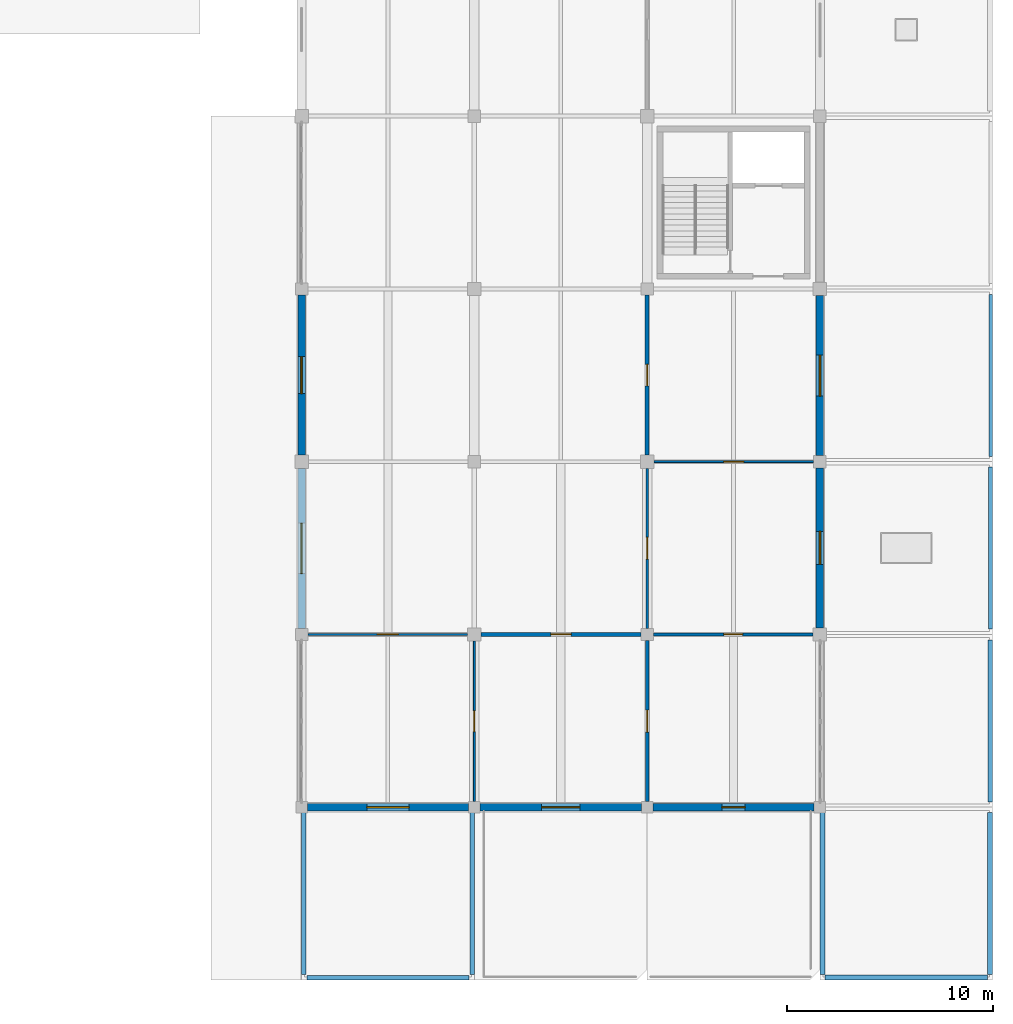
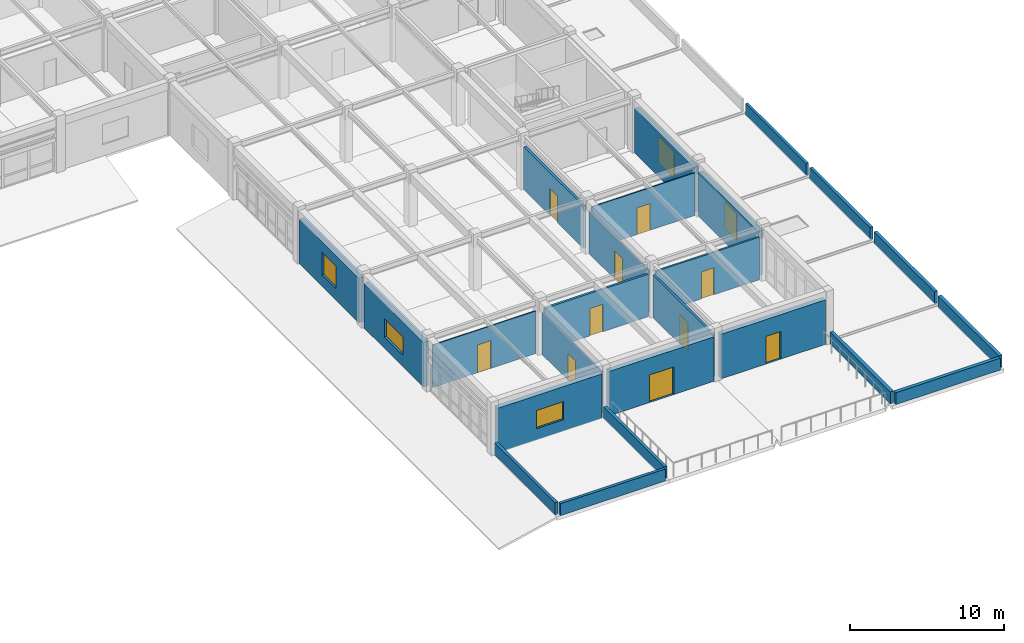
# One storey, part 70 of 78: 24 walls, 10 doors, 5 windows, 15 openings.
"""IFC4 building model written with IfcOpenShell, lengths in metres."""

from ifc_helpers import new_model, si_unit, direction, frame, frame_2d, origin, place, context, subcontext, project, spatial, rectangle, extrude, material, layer, layer_set, type_object, element, fill, save


model = new_model("IFC4")

# Units and contexts
model_context = context("Model", 3, precision=1e-05, world=origin(), true_north=direction((0.0, 1.0)))
body_context = subcontext(model_context, "Body", "Model", "MODEL_VIEW")
ifc_project = project(units=[si_unit("LENGTHUNIT", "METRE"), si_unit("AREAUNIT", "SQUARE_METRE"), si_unit("VOLUMEUNIT", "CUBIC_METRE"), si_unit("PLANEANGLEUNIT", "RADIAN"), si_unit("MASSUNIT", "GRAM", prefix="KILO")], contexts=[model_context])

# Site, building, storey
site_placement = place(None, origin())
site = spatial("IfcSite", under=ifc_project, at=site_placement, CompositionType="ELEMENT")
building_placement = place(site_placement, origin())
building = spatial("IfcBuilding", under=site, at=building_placement, Name="Porcellanite Civic Hall", CompositionType="ELEMENT")
storey_placement = place(building_placement, frame((0.0, 0.0, 10.260009765625)))
storey = spatial("IfcBuildingStorey", under=building, at=storey_placement, Name="L02", CompositionType="ELEMENT", Elevation=10.260009765625)

# Wall, opening, window
ifc_material_1 = material(Name="Precast concrete N40 (40 MPa)", Category="concrete")
ifc_layer_1 = layer(ifc_material_1, 0.360107421875)
ifc_layer_set_1 = layer_set([ifc_layer_1], Name="Precast concrete N40 (40 MPa)")
wall_type_1 = type_object("IfcWallType", Name="EW-LIB360", PredefinedType="SOLIDWALL", material=ifc_layer_set_1)
wall_1_placement = place(storey_placement, frame((150.924072265625, 8.39990234375, 0.0), z_axis=(0.0, 0.0, 1.0), x_axis=(-1.0, 0.0, 0.0)))
wall_1 = element("IfcWall", 1, at=wall_1_placement, inside=storey, type_object=wall_type_1, Name="Exterior wall L02 S 18-2", PredefinedType="SOLIDWALL", context=body_context, shape_type="SweptSolid", body=[
    extrude(rectangle(XDim=7.84814453125, YDim=0.360107421875, at=frame_2d((3.924072265625, 0.0))), origin(), (0.0, 0.0, 1.0), 3.5400390625),
])
opening_1_placement = place(wall_1_placement, frame((2.89892578125, 0.0, 0.89990234375)))
opening_1 = element("IfcOpeningElement", 2, at=opening_1_placement, cuts=wall_1, Name="Opening W39", PredefinedType="OPENING", context=body_context, shape_type="SweptSolid", body=[
    extrude(rectangle(XDim=2.050048828125, YDim=1.449951171875, at=frame_2d((1.02490234375, 0.72509765625))), frame((0.0, 0.18017578125, 0.0), z_axis=(0.0, -1.0, 0.0), x_axis=(1.0, 0.0, 0.0)), (0.0, 0.0, 1.0), 0.360107421875),
])
ifc_material_2 = material(Name="Cyclone laminated low-E glazing in anodised aluminium frame", Category="aluminium")
window_type_1 = type_object("IfcWindowType", Name="WN-39", PartitioningType="DOUBLE_PANEL_VERTICAL", PredefinedType="WINDOW", material=ifc_material_2)
window_1_placement = place(opening_1_placement, origin())
window_1 = element("IfcWindow", 3, at=window_1_placement, inside=storey, type_object=window_type_1, Name="Window W39 L02 S 18-2", OverallHeight=1.449951171875, OverallWidth=2.050048828125, PartitioningType="SINGLE_PANEL", PredefinedType="WINDOW", context=body_context, shape_type="SweptSolid", body=[
    extrude(rectangle(XDim=2.050048828125, YDim=1.449951171875, at=frame_2d((1.02490234375, 0.72509765625))), frame((0.0, 0.030029296875, 0.0), z_axis=(0.0, -1.0, 0.0), x_axis=(1.0, 0.0, 0.0)), (0.0, 0.0, 1.0), 0.06005859375),
])
fill(opening_1, window_1)

wall_2_placement = place(storey_placement, frame((142.800048828125, 17.10107421875, 0.0), z_axis=(0.0, 0.0, 1.0), x_axis=(0.0, 1.0, 0.0)))
wall_2 = element("IfcWall", 4, at=wall_2_placement, inside=storey, type_object=wall_type_1, Name="Exterior wall L02 W 18-3", PredefinedType="SOLIDWALL", context=body_context, shape_type="SweptSolid", body=[
    extrude(rectangle(XDim=7.77294921875, YDim=0.360107421875, at=frame_2d((3.886474609375, 0.0))), origin(), (0.0, 0.0, 1.0), 3.5400390625),
])
opening_2_placement = place(wall_2_placement, frame((2.660888671875, 0.0, 0.89990234375)))
opening_2 = element("IfcOpeningElement", 5, at=opening_2_placement, cuts=wall_2, Name="Opening W40", PredefinedType="OPENING", context=body_context, shape_type="SweptSolid", body=[
    extrude(rectangle(XDim=2.449951171875, YDim=1.449951171875, at=frame_2d((1.22509765625, 0.72509765625))), frame((0.0, 0.18017578125, 0.0), z_axis=(0.0, -1.0, 0.0), x_axis=(1.0, 0.0, 0.0)), (0.0, 0.0, 1.0), 0.360107421875),
])
ifc_material_3 = material(Name="Cyclone laminated low-E glazing in anodised aluminium frame", Category="aluminium")
window_type_2 = type_object("IfcWindowType", Name="WN-40", PartitioningType="DOUBLE_PANEL_VERTICAL", PredefinedType="WINDOW", material=ifc_material_3)
window_2_placement = place(opening_2_placement, origin())
window_2 = element("IfcWindow", 6, at=window_2_placement, inside=storey, type_object=window_type_2, Name="Window W40 L02 W 18-3", OverallHeight=1.449951171875, OverallWidth=2.449951171875, PartitioningType="SINGLE_PANEL", PredefinedType="WINDOW", context=body_context, shape_type="SweptSolid", body=[
    extrude(rectangle(XDim=2.449951171875, YDim=1.449951171875, at=frame_2d((1.22509765625, 0.72509765625))), frame((0.0, 0.030029296875, 0.0), z_axis=(0.0, -1.0, 0.0), x_axis=(1.0, 0.0, 0.0)), (0.0, 0.0, 1.0), 0.06005859375),
])
fill(opening_2, window_2)

wall_3_placement = place(storey_placement, frame((142.800048828125, 25.52587890625, 0.0), z_axis=(0.0, 0.0, 1.0), x_axis=(0.0, 1.0, 0.0)))
wall_3 = element("IfcWall", 7, at=wall_3_placement, inside=storey, type_object=wall_type_1, Name="Exterior wall L02 W 18-4", PredefinedType="SOLIDWALL", context=body_context, shape_type="SweptSolid", body=[
    extrude(rectangle(XDim=7.773193359375, YDim=0.360107421875, at=frame_2d((3.88671875, 0.0))), origin(), (0.0, 0.0, 1.0), 3.5400390625),
])
opening_3_placement = place(wall_3_placement, frame((2.986083984375, 0.0, 0.89990234375)))
opening_3 = element("IfcOpeningElement", 8, at=opening_3_placement, cuts=wall_3, Name="Opening W01", PredefinedType="OPENING", context=body_context, shape_type="SweptSolid", body=[
    extrude(rectangle(XDim=1.800048828125, YDim=1.800048828125, at=frame_2d((0.89990234375, 0.89990234375))), frame((0.0, 0.18017578125, 0.0), z_axis=(0.0, -1.0, 0.0), x_axis=(1.0, 0.0, 0.0)), (0.0, 0.0, 1.0), 0.360107421875),
])
ifc_material_4 = material(Name="Cyclone laminated low-E glazing in anodised aluminium frame", Category="aluminium")
window_type_3 = type_object("IfcWindowType", Name="WN-01", PartitioningType="DOUBLE_PANEL_VERTICAL", PredefinedType="WINDOW", material=ifc_material_4)
window_3_placement = place(opening_3_placement, origin())
window_3 = element("IfcWindow", 9, at=window_3_placement, inside=storey, type_object=window_type_3, Name="Window W01 L02 W 18-4", OverallHeight=1.800048828125, OverallWidth=1.800048828125, PartitioningType="SINGLE_PANEL", PredefinedType="WINDOW", context=body_context, shape_type="SweptSolid", body=[
    extrude(rectangle(XDim=1.800048828125, YDim=1.800048828125, at=frame_2d((0.89990234375, 0.89990234375))), frame((0.0, 0.030029296875, 0.0), z_axis=(0.0, -1.0, 0.0), x_axis=(1.0, 0.0, 0.0)), (0.0, 0.0, 1.0), 0.06005859375),
])
fill(opening_3, window_3)

# Wall, opening, door
wall_4_placement = place(storey_placement, frame((159.323974609375, 8.39990234375, 0.0), z_axis=(0.0, 0.0, 1.0), x_axis=(-1.0, 0.0, 0.0)))
wall_4 = element("IfcWall", 10, at=wall_4_placement, inside=storey, type_object=wall_type_1, Name="Exterior wall L02 S 19-2", PredefinedType="SOLIDWALL", context=body_context, shape_type="SweptSolid", body=[
    extrude(rectangle(XDim=7.847900390625, YDim=0.360107421875, at=frame_2d((3.923828125, 0.0))), origin(), (0.0, 0.0, 1.0), 3.5400390625),
])
opening_4_placement = place(wall_4_placement, frame((2.9990234375, 0.0, 0.0)))
opening_4 = element("IfcOpeningElement", 11, at=opening_4_placement, cuts=wall_4, Name="Opening TD-06", PredefinedType="OPENING", context=body_context, shape_type="SweptSolid", body=[
    extrude(rectangle(XDim=1.85009765625, YDim=2.199951171875, at=frame_2d((0.925048828125, 1.10009765625))), frame((0.0, 0.18017578125, 0.0), z_axis=(0.0, -1.0, 0.0), x_axis=(1.0, 0.0, 0.0)), (0.0, 0.0, 1.0), 0.360107421875),
])
ifc_material_5 = material(Name="Anodised aluminium and laminated safety glass", Category="aluminium")
door_type_1 = type_object("IfcDoorType", Name="DR-TER185", OperationType="DOUBLE_DOOR_SINGLE_SWING", PredefinedType="DOOR", material=ifc_material_5)
door_1_placement = place(opening_4_placement, origin())
door_1 = element("IfcDoor", 12, at=door_1_placement, inside=storey, type_object=door_type_1, Name="Civic terrace door TD-06", OperationType="DOUBLE_DOOR_SINGLE_SWING", OverallHeight=2.199951171875, OverallWidth=1.85009765625, PredefinedType="DOOR", context=body_context, shape_type="SweptSolid", body=[
    extrude(rectangle(XDim=1.85009765625, YDim=2.199951171875, at=frame_2d((0.925048828125, 1.10009765625))), frame((0.0, 0.02490234375, 0.0), z_axis=(0.0, -1.0, 0.0), x_axis=(1.0, 0.0, 0.0)), (0.0, 0.0, 1.0), 0.050048828125),
])
fill(opening_4, door_1)

wall_5_placement = place(storey_placement, frame((167.72412109375, 8.39990234375, 0.0), z_axis=(0.0, 0.0, 1.0), x_axis=(-1.0, 0.0, 0.0)))
wall_5 = element("IfcWall", 13, at=wall_5_placement, inside=storey, type_object=wall_type_1, Name="Exterior wall L02 S 20-2", PredefinedType="SOLIDWALL", context=body_context, shape_type="SweptSolid", body=[
    extrude(rectangle(XDim=7.84814453125, YDim=0.360107421875, at=frame_2d((3.924072265625, 0.0))), origin(), (0.0, 0.0, 1.0), 3.5400390625),
])
opening_5_placement = place(wall_5_placement, frame((3.364013671875, 0.0, 0.0)))
opening_5 = element("IfcOpeningElement", 14, at=opening_5_placement, cuts=wall_5, Name="Opening TD-08", PredefinedType="OPENING", context=body_context, shape_type="SweptSolid", body=[
    extrude(rectangle(XDim=1.1201171875, YDim=2.199951171875, at=frame_2d((0.56005859375, 1.10009765625))), frame((0.0, 0.18017578125, 0.0), z_axis=(0.0, -1.0, 0.0), x_axis=(1.0, 0.0, 0.0)), (0.0, 0.0, 1.0), 0.360107421875),
])
ifc_material_6 = material(Name="Anodised aluminium and laminated safety glass", Category="aluminium")
door_type_2 = type_object("IfcDoorType", Name="DR-TER112", OperationType="NOTDEFINED", PredefinedType="DOOR", material=ifc_material_6)
door_2_placement = place(opening_5_placement, origin())
door_2 = element("IfcDoor", 15, at=door_2_placement, inside=storey, type_object=door_type_2, Name="Civic terrace door TD-08", OperationType="SINGLE_SWING_LEFT", OverallHeight=2.199951171875, OverallWidth=1.1201171875, PredefinedType="DOOR", context=body_context, shape_type="SweptSolid", body=[
    extrude(rectangle(XDim=1.1201171875, YDim=2.199951171875, at=frame_2d((0.56005859375, 1.10009765625))), frame((0.0, 0.02490234375, 0.0), z_axis=(0.0, -1.0, 0.0), x_axis=(1.0, 0.0, 0.0)), (0.0, 0.0, 1.0), 0.050048828125),
])
fill(opening_5, door_2)

# Wall, opening, window
wall_6_placement = place(storey_placement, frame((168.0, 24.89892578125, 0.0), z_axis=(0.0, 0.0, 1.0), x_axis=(0.0, -1.0, 0.0)))
wall_6 = element("IfcWall", 16, at=wall_6_placement, inside=storey, type_object=wall_type_1, Name="Exterior wall L02 E 20-3", PredefinedType="SOLIDWALL", context=body_context, shape_type="SweptSolid", body=[
    extrude(rectangle(XDim=7.77294921875, YDim=0.360107421875, at=frame_2d((3.886474609375, 0.0))), origin(), (0.0, 0.0, 1.0), 3.5400390625),
])
opening_6_placement = place(wall_6_placement, frame((3.0869140625, 0.0, 0.89990234375)))
opening_6 = element("IfcOpeningElement", 17, at=opening_6_placement, cuts=wall_6, Name="Opening W05", PredefinedType="OPENING", context=body_context, shape_type="SweptSolid", body=[
    extrude(rectangle(XDim=1.60009765625, YDim=2.10009765625, at=frame_2d((0.800048828125, 1.050048828125))), frame((0.0, 0.18017578125, 0.0), z_axis=(0.0, -1.0, 0.0), x_axis=(1.0, 0.0, 0.0)), (0.0, 0.0, 1.0), 0.360107421875),
])
ifc_material_7 = material(Name="Cyclone laminated low-E glazing in anodised aluminium frame", Category="aluminium")
window_type_4 = type_object("IfcWindowType", Name="WN-05", PartitioningType="DOUBLE_PANEL_VERTICAL", PredefinedType="WINDOW", material=ifc_material_7)
window_4_placement = place(opening_6_placement, origin())
window_4 = element("IfcWindow", 18, at=window_4_placement, inside=storey, type_object=window_type_4, Name="Window W05 L02 E 20-3", OverallHeight=2.10009765625, OverallWidth=1.60009765625, PartitioningType="SINGLE_PANEL", PredefinedType="WINDOW", context=body_context, shape_type="SweptSolid", body=[
    extrude(rectangle(XDim=1.60009765625, YDim=2.10009765625, at=frame_2d((0.800048828125, 1.050048828125))), frame((0.0, 0.030029296875, 0.0), z_axis=(0.0, -1.0, 0.0), x_axis=(1.0, 0.0, 0.0)), (0.0, 0.0, 1.0), 0.06005859375),
])
fill(opening_6, window_4)

wall_7_placement = place(storey_placement, frame((168.0, 33.27392578125, 0.0), z_axis=(0.0, 0.0, 1.0), x_axis=(0.0, -1.0, 0.0)))
wall_7 = element("IfcWall", 19, at=wall_7_placement, inside=storey, type_object=wall_type_1, Name="Exterior wall L02 E 20-4", PredefinedType="SOLIDWALL", context=body_context, shape_type="SweptSolid", body=[
    extrude(rectangle(XDim=7.77294921875, YDim=0.360107421875, at=frame_2d((3.886474609375, 0.0))), origin(), (0.0, 0.0, 1.0), 3.5400390625),
])
opening_7_placement = place(wall_7_placement, frame((2.885986328125, 0.0, 0.89990234375)))
opening_7 = element("IfcOpeningElement", 20, at=opening_7_placement, cuts=wall_7, Name="Opening W06", PredefinedType="OPENING", context=body_context, shape_type="SweptSolid", body=[
    extrude(rectangle(XDim=2.0, YDim=2.10009765625, at=frame_2d((1.0, 1.050048828125))), frame((0.0, 0.18017578125, 0.0), z_axis=(0.0, -1.0, 0.0), x_axis=(1.0, 0.0, 0.0)), (0.0, 0.0, 1.0), 0.360107421875),
])
ifc_material_8 = material(Name="Cyclone laminated low-E glazing in anodised aluminium frame", Category="aluminium")
window_type_5 = type_object("IfcWindowType", Name="WN-06", PartitioningType="DOUBLE_PANEL_VERTICAL", PredefinedType="WINDOW", material=ifc_material_8)
window_5_placement = place(opening_7_placement, origin())
window_5 = element("IfcWindow", 21, at=window_5_placement, inside=storey, type_object=window_type_5, Name="Window W06 L02 E 20-4", OverallHeight=2.10009765625, OverallWidth=2.0, PartitioningType="SINGLE_PANEL", PredefinedType="WINDOW", context=body_context, shape_type="SweptSolid", body=[
    extrude(rectangle(XDim=2.0, YDim=2.10009765625, at=frame_2d((1.0, 1.050048828125))), frame((0.0, 0.030029296875, 0.0), z_axis=(0.0, -1.0, 0.0), x_axis=(1.0, 0.0, 0.0)), (0.0, 0.0, 1.0), 0.06005859375),
])
fill(opening_7, window_5)

# Wall, opening, door
ifc_material_9 = material(Name="Insulated acoustic plasterboard on light-gauge steel studs", Category="steel")
ifc_layer_2 = layer(ifc_material_9, 0.087890625)
ifc_layer_set_2 = layer_set([ifc_layer_2], Name="Insulated acoustic plasterboard on light-gauge steel studs")
wall_type_2 = type_object("IfcWallType", Name="IW-PT088", PredefinedType="PARTITIONING", material=ifc_layer_set_2)
wall_8_placement = place(storey_placement, frame((143.10205078125, 16.800048828125, 0.0), z_axis=(0.0, 0.0, 1.0), x_axis=(1.0, 0.0, 0.0)))
wall_8 = element("IfcWall", 22, at=wall_8_placement, inside=storey, type_object=wall_type_2, Name="Partition L02 H 18-2", PredefinedType="PARTITIONING", context=body_context, shape_type="SweptSolid", body=[
    extrude(rectangle(XDim=7.77099609375, YDim=0.087890625, at=frame_2d((3.885498046875, 0.0))), origin(), (0.0, 0.0, 1.0), 3.369873046875),
])
opening_8_placement = place(wall_8_placement, frame((3.385009765625, 0.0, 0.0)))
opening_8 = element("IfcOpeningElement", 23, at=opening_8_placement, cuts=wall_8, Name="Opening D-L02-368", PredefinedType="OPENING", context=body_context, shape_type="SweptSolid", body=[
    extrude(rectangle(XDim=1.0, YDim=2.199951171875, at=frame_2d((0.5, 1.10009765625))), frame((0.0, 0.0439453125, 0.0), z_axis=(0.0, -1.0, 0.0), x_axis=(1.0, 0.0, 0.0)), (0.0, 0.0, 1.0), 0.087890625),
])
ifc_material_10 = material(Name="Solid-core spotted-gum timber", Category="wood")
door_type_3 = type_object("IfcDoorType", Name="DR-RM100", OperationType="NOTDEFINED", PredefinedType="DOOR", material=ifc_material_10)
door_3_placement = place(opening_8_placement, origin())
door_3 = element("IfcDoor", 24, at=door_3_placement, inside=storey, type_object=door_type_3, Name="Interior door D-L02-368", OperationType="SINGLE_SWING_RIGHT", OverallHeight=2.199951171875, OverallWidth=1.0, PredefinedType="DOOR", context=body_context, shape_type="SweptSolid", body=[
    extrude(rectangle(XDim=1.0, YDim=2.199951171875, at=frame_2d((0.5, 1.10009765625))), frame((0.0, 0.02490234375, 0.0), z_axis=(0.0, -1.0, 0.0), x_axis=(1.0, 0.0, 0.0)), (0.0, 0.0, 1.0), 0.050048828125),
])
fill(opening_8, door_3)

wall_9_placement = place(storey_placement, frame((151.199951171875, 8.677001953125, 0.0), z_axis=(0.0, 0.0, 1.0), x_axis=(0.0, 1.0, 0.0)))
wall_9 = element("IfcWall", 25, at=wall_9_placement, inside=storey, type_object=wall_type_2, Name="Partition L02 V 18-2", PredefinedType="PARTITIONING", context=body_context, shape_type="SweptSolid", body=[
    extrude(rectangle(XDim=7.7958984375, YDim=0.087890625, at=frame_2d((3.89794921875, 0.0))), origin(), (0.0, 0.0, 1.0), 3.369873046875),
])
opening_9_placement = place(wall_9_placement, frame((3.39306640625, 0.0, 0.0)))
opening_9 = element("IfcOpeningElement", 26, at=opening_9_placement, cuts=wall_9, Name="Opening D-L02-400", PredefinedType="OPENING", context=body_context, shape_type="SweptSolid", body=[
    extrude(rectangle(XDim=1.010009765625, YDim=2.1201171875, at=frame_2d((0.5048828125, 1.06005859375))), frame((0.0, 0.0439453125, 0.0), z_axis=(0.0, -1.0, 0.0), x_axis=(1.0, 0.0, 0.0)), (0.0, 0.0, 1.0), 0.087890625),
])
ifc_material_11 = material(Name="Solid-core spotted-gum timber", Category="wood")
door_type_4 = type_object("IfcDoorType", Name="DR-RM101", OperationType="NOTDEFINED", PredefinedType="DOOR", material=ifc_material_11)
door_4_placement = place(opening_9_placement, origin())
door_4 = element("IfcDoor", 27, at=door_4_placement, inside=storey, type_object=door_type_4, Name="Interior door D-L02-400", OperationType="SINGLE_SWING_RIGHT", OverallHeight=2.1201171875, OverallWidth=1.010009765625, PredefinedType="DOOR", context=body_context, shape_type="SweptSolid", body=[
    extrude(rectangle(XDim=1.010009765625, YDim=2.1201171875, at=frame_2d((0.5048828125, 1.06005859375))), frame((0.0, 0.02490234375, 0.0), z_axis=(0.0, -1.0, 0.0), x_axis=(1.0, 0.0, 0.0)), (0.0, 0.0, 1.0), 0.050048828125),
])
fill(opening_9, door_4)

ifc_material_12 = material(Name="Insulated acoustic plasterboard on light-gauge steel studs", Category="steel")
ifc_layer_3 = layer(ifc_material_12, 0.094970703125)
ifc_layer_set_3 = layer_set([ifc_layer_3], Name="Insulated acoustic plasterboard on light-gauge steel studs")
wall_type_3 = type_object("IfcWallType", Name="IW-PT095", PredefinedType="PARTITIONING", material=ifc_layer_set_3)
wall_10_placement = place(storey_placement, frame((159.927001953125, 25.199951171875, 0.0), z_axis=(0.0, 0.0, 1.0), x_axis=(1.0, 0.0, 0.0)))
wall_10 = element("IfcWall", 28, at=wall_10_placement, inside=storey, type_object=wall_type_3, Name="Partition L02 H 20-3", PredefinedType="PARTITIONING", context=body_context, shape_type="SweptSolid", body=[
    extrude(rectangle(XDim=7.77099609375, YDim=0.094970703125, at=frame_2d((3.885498046875, 0.0))), origin(), (0.0, 0.0, 1.0), 3.369873046875),
])
opening_10_placement = place(wall_10_placement, frame((3.40087890625, 0.0, 0.0)))
opening_10 = element("IfcOpeningElement", 29, at=opening_10_placement, cuts=wall_10, Name="Opening D-L02-349", PredefinedType="OPENING", context=body_context, shape_type="SweptSolid", body=[
    extrude(rectangle(XDim=0.969970703125, YDim=2.1201171875, at=frame_2d((0.48486328125, 1.06005859375))), frame((0.0, 0.04736328125, 0.0), z_axis=(0.0, -1.0, 0.0), x_axis=(1.0, 0.0, 0.0)), (0.0, 0.0, 1.0), 0.094970703125),
])
ifc_material_13 = material(Name="Solid-core spotted-gum timber", Category="wood")
door_type_5 = type_object("IfcDoorType", Name="DR-RM097", OperationType="NOTDEFINED", PredefinedType="DOOR", material=ifc_material_13)
door_5_placement = place(opening_10_placement, origin())
door_5 = element("IfcDoor", 30, at=door_5_placement, inside=storey, type_object=door_type_5, Name="Interior door D-L02-349", OperationType="SINGLE_SWING_RIGHT", OverallHeight=2.1201171875, OverallWidth=0.969970703125, PredefinedType="DOOR", context=body_context, shape_type="SweptSolid", body=[
    extrude(rectangle(XDim=0.969970703125, YDim=2.1201171875, at=frame_2d((0.48486328125, 1.06005859375))), frame((0.0, 0.02490234375, 0.0), z_axis=(0.0, -1.0, 0.0), x_axis=(1.0, 0.0, 0.0)), (0.0, 0.0, 1.0), 0.050048828125),
])
fill(opening_10, door_5)

ifc_material_14 = material(Name="Insulated acoustic plasterboard on light-gauge steel studs", Category="steel")
ifc_layer_4 = layer(ifc_material_14, 0.125)
ifc_layer_set_4 = layer_set([ifc_layer_4], Name="Insulated acoustic plasterboard on light-gauge steel studs")
wall_type_4 = type_object("IfcWallType", Name="IW-PT125", PredefinedType="PARTITIONING", material=ifc_layer_set_4)
wall_11_placement = place(storey_placement, frame((159.60009765625, 17.10205078125, 0.0), z_axis=(0.0, 0.0, 1.0), x_axis=(0.0, 1.0, 0.0)))
wall_11 = element("IfcWall", 31, at=wall_11_placement, inside=storey, type_object=wall_type_4, Name="Partition L02 V 19-3", PredefinedType="PARTITIONING", context=body_context, shape_type="SweptSolid", body=[
    extrude(rectangle(XDim=7.77099609375, YDim=0.125, at=frame_2d((3.885498046875, 0.0))), origin(), (0.0, 0.0, 1.0), 3.369873046875),
])
opening_11_placement = place(wall_11_placement, frame((3.35595703125, 0.0, 0.0)))
opening_11 = element("IfcOpeningElement", 32, at=opening_11_placement, cuts=wall_11, Name="Opening D-L02-378", PredefinedType="OPENING", context=body_context, shape_type="SweptSolid", body=[
    extrude(rectangle(XDim=1.06005859375, YDim=2.25, at=frame_2d((0.530029296875, 1.125))), frame((0.0, 0.0625, 0.0), z_axis=(0.0, -1.0, 0.0), x_axis=(1.0, 0.0, 0.0)), (0.0, 0.0, 1.0), 0.125),
])
ifc_material_15 = material(Name="Solid-core spotted-gum timber", Category="wood")
door_type_6 = type_object("IfcDoorType", Name="DR-RM106", OperationType="NOTDEFINED", PredefinedType="DOOR", material=ifc_material_15)
door_6_placement = place(opening_11_placement, origin())
door_6 = element("IfcDoor", 33, at=door_6_placement, inside=storey, type_object=door_type_6, Name="Interior door D-L02-378", OperationType="SINGLE_SWING_RIGHT", OverallHeight=2.25, OverallWidth=1.06005859375, PredefinedType="DOOR", context=body_context, shape_type="SweptSolid", body=[
    extrude(rectangle(XDim=1.06005859375, YDim=2.25, at=frame_2d((0.530029296875, 1.125))), frame((0.0, 0.02490234375, 0.0), z_axis=(0.0, -1.0, 0.0), x_axis=(1.0, 0.0, 0.0)), (0.0, 0.0, 1.0), 0.050048828125),
])
fill(opening_11, door_6)

ifc_material_16 = material(Name="Insulated acoustic plasterboard on light-gauge steel studs", Category="steel")
ifc_layer_5 = layer(ifc_material_16, 0.14501953125)
ifc_layer_set_5 = layer_set([ifc_layer_5], Name="Insulated acoustic plasterboard on light-gauge steel studs")
wall_type_5 = type_object("IfcWallType", Name="IW-PT145", PredefinedType="PARTITIONING", material=ifc_layer_set_5)
wall_12_placement = place(storey_placement, frame((159.902099609375, 16.800048828125, 0.0), z_axis=(0.0, 0.0, 1.0), x_axis=(1.0, 0.0, 0.0)))
wall_12 = element("IfcWall", 34, at=wall_12_placement, inside=storey, type_object=wall_type_5, Name="Partition L02 H 20-2", PredefinedType="PARTITIONING", context=body_context, shape_type="SweptSolid", body=[
    extrude(rectangle(XDim=7.77099609375, YDim=0.14501953125, at=frame_2d((3.885498046875, 0.0))), origin(), (0.0, 0.0, 1.0), 3.369873046875),
])
opening_12_placement = place(wall_12_placement, frame((3.425048828125, 0.0, 0.0)))
opening_12 = element("IfcOpeningElement", 35, at=opening_12_placement, cuts=wall_12, Name="Opening D-L02-372", PredefinedType="OPENING", context=body_context, shape_type="SweptSolid", body=[
    extrude(rectangle(XDim=0.919921875, YDim=2.14990234375, at=frame_2d((0.4599609375, 1.074951171875))), frame((0.0, 0.072509765625, 0.0), z_axis=(0.0, -1.0, 0.0), x_axis=(1.0, 0.0, 0.0)), (0.0, 0.0, 1.0), 0.14501953125),
])
ifc_material_17 = material(Name="Solid-core spotted-gum timber", Category="wood")
door_type_7 = type_object("IfcDoorType", Name="DR-RM092", OperationType="NOTDEFINED", PredefinedType="DOOR", material=ifc_material_17)
door_7_placement = place(opening_12_placement, origin())
door_7 = element("IfcDoor", 36, at=door_7_placement, inside=storey, type_object=door_type_7, Name="Interior door D-L02-372", OperationType="SINGLE_SWING_RIGHT", OverallHeight=2.14990234375, OverallWidth=0.919921875, PredefinedType="DOOR", context=body_context, shape_type="SweptSolid", body=[
    extrude(rectangle(XDim=0.919921875, YDim=2.14990234375, at=frame_2d((0.4599609375, 1.074951171875))), frame((0.0, 0.02490234375, 0.0), z_axis=(0.0, -1.0, 0.0), x_axis=(1.0, 0.0, 0.0)), (0.0, 0.0, 1.0), 0.050048828125),
])
fill(opening_12, door_7)

ifc_material_18 = material(Name="Insulated acoustic plasterboard on light-gauge steel studs", Category="steel")
ifc_layer_6 = layer(ifc_material_18, 0.175048828125)
ifc_layer_set_6 = layer_set([ifc_layer_6], Name="Insulated acoustic plasterboard on light-gauge steel studs")
wall_type_6 = type_object("IfcWallType", Name="IW-PT175", PredefinedType="PARTITIONING", material=ifc_layer_set_6)
wall_13_placement = place(storey_placement, frame((151.527099609375, 16.800048828125, 0.0), z_axis=(0.0, 0.0, 1.0), x_axis=(1.0, 0.0, 0.0)))
wall_13 = element("IfcWall", 37, at=wall_13_placement, inside=storey, type_object=wall_type_6, Name="Partition L02 H 19-2", PredefinedType="PARTITIONING", context=body_context, shape_type="SweptSolid", body=[
    extrude(rectangle(XDim=7.77099609375, YDim=0.175048828125, at=frame_2d((3.885498046875, 0.0))), origin(), (0.0, 0.0, 1.0), 3.369873046875),
])
opening_13_placement = place(wall_13_placement, frame((3.39599609375, 0.0, 0.0)))
opening_13 = element("IfcOpeningElement", 38, at=opening_13_placement, cuts=wall_13, Name="Opening D-L02-369", PredefinedType="OPENING", context=body_context, shape_type="SweptSolid", body=[
    extrude(rectangle(XDim=0.97998046875, YDim=2.179931640625, at=frame_2d((0.489990234375, 1.08984375))), frame((0.0, 0.08740234375, 0.0), z_axis=(0.0, -1.0, 0.0), x_axis=(1.0, 0.0, 0.0)), (0.0, 0.0, 1.0), 0.175048828125),
])
ifc_material_19 = material(Name="Solid-core spotted-gum timber", Category="wood")
door_type_8 = type_object("IfcDoorType", Name="DR-RM098", OperationType="NOTDEFINED", PredefinedType="DOOR", material=ifc_material_19)
door_8_placement = place(opening_13_placement, origin())
door_8 = element("IfcDoor", 39, at=door_8_placement, inside=storey, type_object=door_type_8, Name="Interior door D-L02-369", OperationType="SINGLE_SWING_LEFT", OverallHeight=2.179931640625, OverallWidth=0.97998046875, PredefinedType="DOOR", context=body_context, shape_type="SweptSolid", body=[
    extrude(rectangle(XDim=0.97998046875, YDim=2.179931640625, at=frame_2d((0.489990234375, 1.08984375))), frame((0.0, 0.02490234375, 0.0), z_axis=(0.0, -1.0, 0.0), x_axis=(1.0, 0.0, 0.0)), (0.0, 0.0, 1.0), 0.050048828125),
])
fill(opening_13, door_8)

wall_14_placement = place(storey_placement, frame((159.60009765625, 8.677001953125, 0.0), z_axis=(0.0, 0.0, 1.0), x_axis=(0.0, 1.0, 0.0)))
wall_14 = element("IfcWall", 40, at=wall_14_placement, inside=storey, type_object=wall_type_6, Name="Partition L02 V 19-2", PredefinedType="PARTITIONING", context=body_context, shape_type="SweptSolid", body=[
    extrude(rectangle(XDim=7.821044921875, YDim=0.175048828125, at=frame_2d((3.91064453125, 0.0))), origin(), (0.0, 0.0, 1.0), 3.369873046875),
])
opening_14_placement = place(wall_14_placement, frame((3.3701171875, 0.0, 0.0)))
opening_14 = element("IfcOpeningElement", 41, at=opening_14_placement, cuts=wall_14, Name="Opening D-L02-403", PredefinedType="OPENING", context=body_context, shape_type="SweptSolid", body=[
    extrude(rectangle(XDim=1.080078125, YDim=2.25, at=frame_2d((0.5400390625, 1.125))), frame((0.0, 0.08740234375, 0.0), z_axis=(0.0, -1.0, 0.0), x_axis=(1.0, 0.0, 0.0)), (0.0, 0.0, 1.0), 0.175048828125),
])
ifc_material_20 = material(Name="Solid-core spotted-gum timber", Category="wood")
door_type_9 = type_object("IfcDoorType", Name="DR-RM108", OperationType="NOTDEFINED", PredefinedType="DOOR", material=ifc_material_20)
door_9_placement = place(opening_14_placement, origin())
door_9 = element("IfcDoor", 42, at=door_9_placement, inside=storey, type_object=door_type_9, Name="Interior door D-L02-403", OperationType="SINGLE_SWING_LEFT", OverallHeight=2.25, OverallWidth=1.080078125, PredefinedType="DOOR", context=body_context, shape_type="SweptSolid", body=[
    extrude(rectangle(XDim=1.080078125, YDim=2.25, at=frame_2d((0.5400390625, 1.125))), frame((0.0, 0.02490234375, 0.0), z_axis=(0.0, -1.0, 0.0), x_axis=(1.0, 0.0, 0.0)), (0.0, 0.0, 1.0), 0.050048828125),
])
fill(opening_14, door_9)

ifc_material_21 = material(Name="Insulated acoustic plasterboard on light-gauge steel studs", Category="steel")
ifc_layer_7 = layer(ifc_material_21, 0.195068359375)
ifc_layer_set_7 = layer_set([ifc_layer_7], Name="Insulated acoustic plasterboard on light-gauge steel studs")
wall_type_7 = type_object("IfcWallType", Name="IW-PT195", PredefinedType="PARTITIONING", material=ifc_layer_set_7)
wall_15_placement = place(storey_placement, frame((159.60009765625, 25.527099609375, 0.0), z_axis=(0.0, 0.0, 1.0), x_axis=(0.0, 1.0, 0.0)))
wall_15 = element("IfcWall", 43, at=wall_15_placement, inside=storey, type_object=wall_type_7, Name="Partition L02 V 19-4", PredefinedType="PARTITIONING", context=body_context, shape_type="SweptSolid", body=[
    extrude(rectangle(XDim=7.77099609375, YDim=0.195068359375, at=frame_2d((3.885498046875, 0.0))), origin(), (0.0, 0.0, 1.0), 3.369873046875),
])
opening_15_placement = place(wall_15_placement, frame((3.361083984375, 0.0, 0.0)))
opening_15 = element("IfcOpeningElement", 44, at=opening_15_placement, cuts=wall_15, Name="Opening D-L02-360", PredefinedType="OPENING", context=body_context, shape_type="SweptSolid", body=[
    extrude(rectangle(XDim=1.050048828125, YDim=2.1201171875, at=frame_2d((0.52490234375, 1.06005859375))), frame((0.0, 0.09765625, 0.0), z_axis=(0.0, -1.0, 0.0), x_axis=(1.0, 0.0, 0.0)), (0.0, 0.0, 1.0), 0.195068359375),
])
ifc_material_22 = material(Name="Solid-core spotted-gum timber", Category="wood")
door_type_10 = type_object("IfcDoorType", Name="DR-RM105", OperationType="NOTDEFINED", PredefinedType="DOOR", material=ifc_material_22)
door_10_placement = place(opening_15_placement, origin())
door_10 = element("IfcDoor", 45, at=door_10_placement, inside=storey, type_object=door_type_10, Name="Interior door D-L02-360", OperationType="SINGLE_SWING_RIGHT", OverallHeight=2.1201171875, OverallWidth=1.050048828125, PredefinedType="DOOR", context=body_context, shape_type="SweptSolid", body=[
    extrude(rectangle(XDim=1.050048828125, YDim=2.1201171875, at=frame_2d((0.52490234375, 1.06005859375))), frame((0.0, 0.02490234375, 0.0), z_axis=(0.0, -1.0, 0.0), x_axis=(1.0, 0.0, 0.0)), (0.0, 0.0, 1.0), 0.050048828125),
])
fill(opening_15, door_10)

# Walls
ifc_material_23 = material(Name="Precast concrete N40 (40 MPa)", Category="concrete")
ifc_layer_8 = layer(ifc_material_23, 0.25)
ifc_layer_set_8 = layer_set([ifc_layer_8], Name="Precast concrete N40 (40 MPa)")
wall_type_8 = type_object("IfcWallType", Name="WP-PAR1", PredefinedType="PARAPET", material=ifc_layer_set_8)
for number, where, z_axis, x_axis, name in (
    (46, (176.139892578125, 0.125, 0.0), (0.0, 0.0, 1.0), (-1.0, 0.0, 0.0), "Roof parapet L02 S 21-1"),
    (47, (168.125, 0.260009765625, 0.0), (0.0, 0.0, 1.0), (0.0, 1.0, 0.0), "Roof parapet L02 W 21-1"),
    (48, (176.27490234375, 8.139892578125, 0.0), (0.0, 0.0, 1.0), (0.0, -1.0, 0.0), "Roof parapet L02 E 21-1"),
):
    element("IfcWall", number, at=place(storey_placement, frame(where, z_axis=z_axis, x_axis=x_axis)), inside=storey, type_object=wall_type_8, Name=name, PredefinedType="PARAPET", context=body_context, shape_type="SweptSolid", body=[
        extrude(rectangle(XDim=7.8798828125, YDim=0.25, at=frame_2d((3.93994140625, 0.0))), origin(), (0.0, 0.0, 1.0), 0.949951171875),
    ])
ifc_material_24 = material(Name="Precast concrete N40 (40 MPa)", Category="concrete")
ifc_layer_9 = layer(ifc_material_24, 0.22998046875)
ifc_layer_set_9 = layer_set([ifc_layer_9], Name="Precast concrete N40 (40 MPa)")
wall_type_9 = type_object("IfcWallType", Name="WP-PAR2", PredefinedType="PARAPET", material=ifc_layer_set_9)
wall_16_placement = place(storey_placement, frame((176.284912109375, 16.5400390625, 0.0), z_axis=(0.0, 0.0, 1.0), x_axis=(0.0, -1.0, 0.0)))
element("IfcWall", 49, at=wall_16_placement, inside=storey, type_object=wall_type_9, Name="Roof parapet L02 E 21-2", PredefinedType="PARAPET", context=body_context, shape_type="SweptSolid", body=[
    extrude(rectangle(XDim=7.880126953125, YDim=0.22998046875, at=frame_2d((3.93994140625, 0.0))), origin(), (0.0, 0.0, 1.0), 0.949951171875),
])
ifc_material_25 = material(Name="Precast concrete N40 (40 MPa)", Category="concrete")
ifc_layer_10 = layer(ifc_material_25, 0.2099609375)
ifc_layer_set_10 = layer_set([ifc_layer_10], Name="Precast concrete N40 (40 MPa)")
wall_type_10 = type_object("IfcWallType", Name="WP-PAR3", PredefinedType="PARAPET", material=ifc_layer_set_10)
for number, where, z_axis, x_axis, name in (
    (50, (150.93994140625, 0.10498046875, 0.0), (0.0, 0.0, 1.0), (-1.0, 0.0, 0.0), "Roof parapet L02 S 18-1"),
    (51, (142.905029296875, 0.260009765625, 0.0), (0.0, 0.0, 1.0), (0.0, 1.0, 0.0), "Roof parapet L02 W 18-1"),
    (52, (151.094970703125, 8.139892578125, 0.0), (0.0, 0.0, 1.0), (0.0, -1.0, 0.0), "Roof parapet L02 E 18-1"),
    (53, (176.294921875, 24.93994140625, 0.0), (0.0, 0.0, 1.0), (0.0, -1.0, 0.0), "Roof parapet L02 E 21-3"),
):
    element("IfcWall", number, at=place(storey_placement, frame(where, z_axis=z_axis, x_axis=x_axis)), inside=storey, type_object=wall_type_10, Name=name, PredefinedType="PARAPET", context=body_context, shape_type="SweptSolid", body=[
        extrude(rectangle(XDim=7.8798828125, YDim=0.2099609375, at=frame_2d((3.93994140625, 0.0))), origin(), (0.0, 0.0, 1.0), 0.949951171875),
    ])
ifc_material_26 = material(Name="Precast concrete N40 (40 MPa)", Category="concrete")
ifc_layer_11 = layer(ifc_material_26, 0.18994140625)
ifc_layer_set_11 = layer_set([ifc_layer_11], Name="Precast concrete N40 (40 MPa)")
wall_type_11 = type_object("IfcWallType", Name="WP-PAR4", PredefinedType="PARAPET", material=ifc_layer_set_11)
wall_17_placement = place(storey_placement, frame((176.304931640625, 33.340087890625, 0.0), z_axis=(0.0, 0.0, 1.0), x_axis=(0.0, -1.0, 0.0)))
element("IfcWall", 54, at=wall_17_placement, inside=storey, type_object=wall_type_11, Name="Roof parapet L02 E 21-4", PredefinedType="PARAPET", context=body_context, shape_type="SweptSolid", body=[
    extrude(rectangle(XDim=7.880126953125, YDim=0.18994140625, at=frame_2d((3.93994140625, 0.0))), origin(), (0.0, 0.0, 1.0), 0.949951171875),
])

save(model, "model.ifc")
